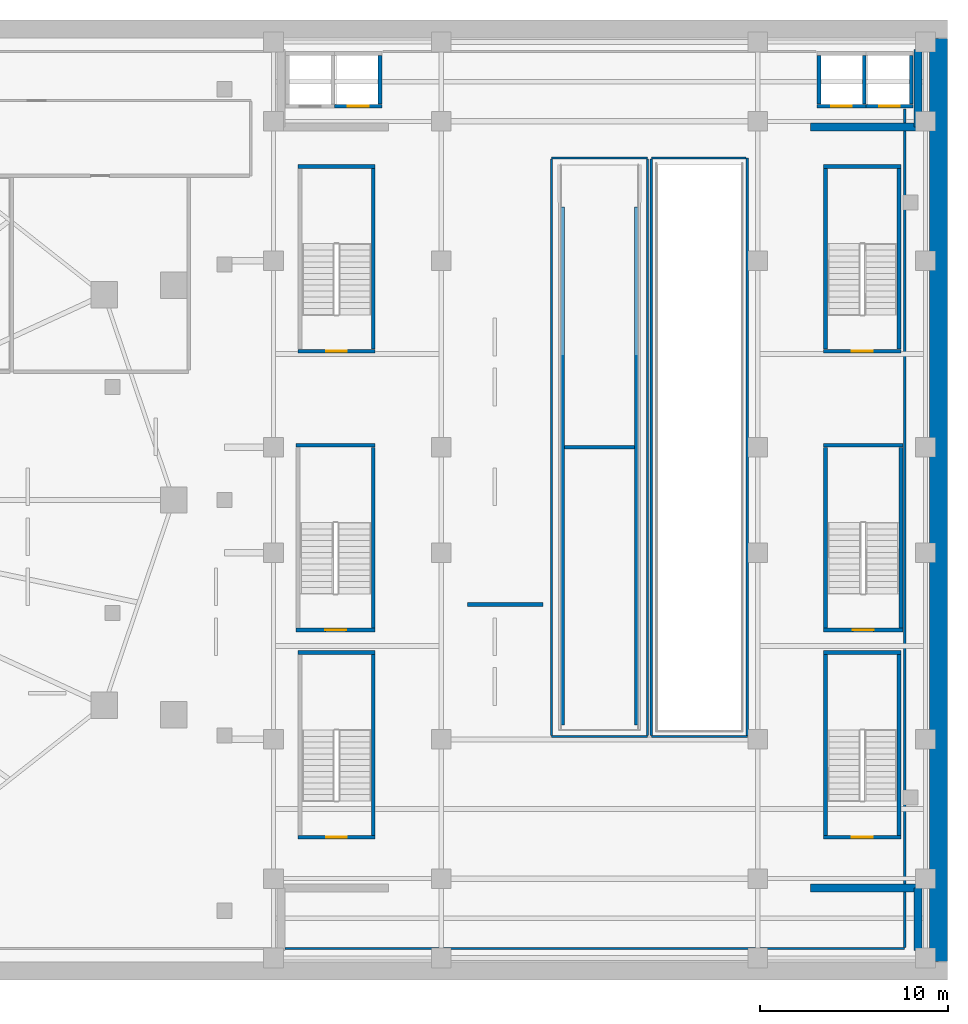
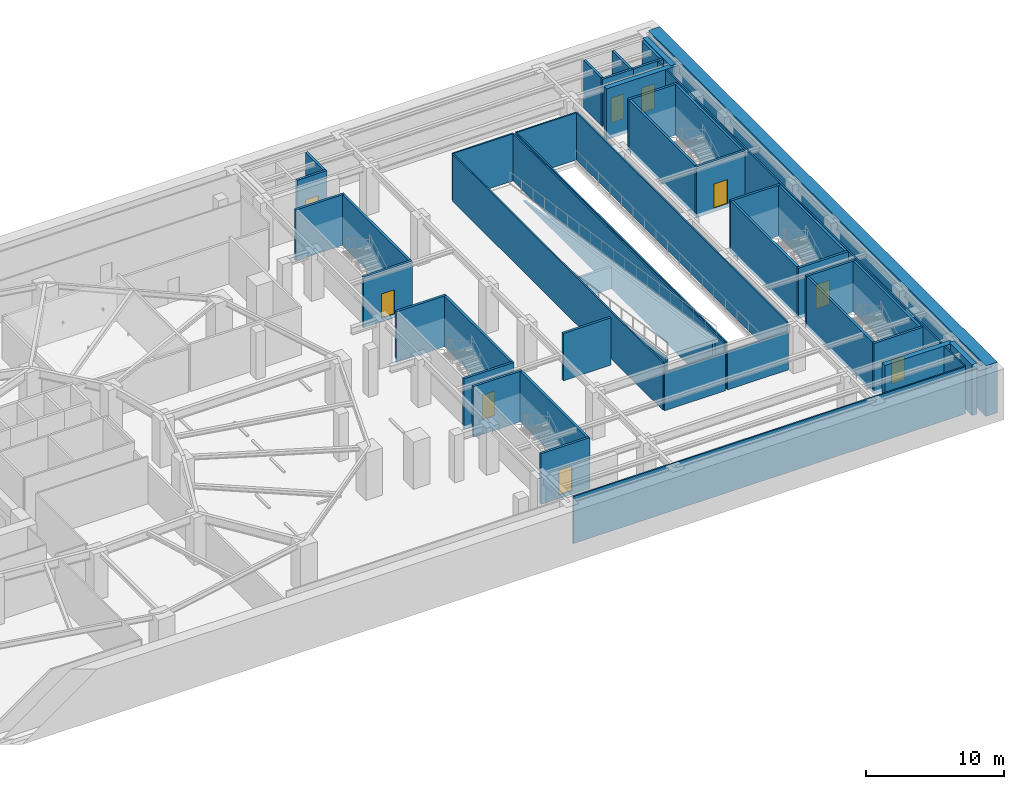
# One storey, part 9 of 16: 49 walls, 9 doors, 9 openings.
"""IFC4 building model written with IfcOpenShell, lengths in metres."""

from ifc_helpers import new_model, si_unit, direction, frame, frame_2d, origin, place, context, subcontext, project, spatial, polyline, rectangle, outline, extrude, material, layer, layer_set, type_object, element, fill, save


model = new_model("IFC4")

# Units and contexts
model_context = context("Model", 3, precision=1e-05, world=origin(), true_north=direction((0.0, 1.0)))
body_context = subcontext(model_context, "Body", "Model", "MODEL_VIEW")
ifc_project = project(units=[si_unit("LENGTHUNIT", "METRE"), si_unit("AREAUNIT", "SQUARE_METRE"), si_unit("VOLUMEUNIT", "CUBIC_METRE"), si_unit("PLANEANGLEUNIT", "RADIAN"), si_unit("MASSUNIT", "GRAM", prefix="KILO")], contexts=[model_context])

# Site, building, storey
site_placement = place(None, origin())
site = spatial("IfcSite", under=ifc_project, at=site_placement, CompositionType="ELEMENT")
building_placement = place(site_placement, origin())
building = spatial("IfcBuilding", under=site, at=building_placement, Name="Kolvaren Gate Tower and Convention Centre", CompositionType="ELEMENT")
storey_placement = place(building_placement, frame((0.0, 0.0, -9.0)))
storey = spatial("IfcBuildingStorey", under=building, at=storey_placement, Name="B2", CompositionType="ELEMENT", Elevation=-9.0)

# Walls
ifc_material_1 = material(Name="Fire-Rated Acoustic Gypsum Stud Partition", Category="gypsum")
ifc_layer_1 = layer(ifc_material_1, 0.1201171875)
ifc_layer_set_1 = layer_set([ifc_layer_1], Name="Fire-Rated Acoustic Gypsum Stud Partition")
wall_type_1 = type_object("IfcWallType", Name="ARCH-WL-PART-120", PredefinedType="PARTITIONING", material=ifc_layer_set_1)
wall_1_placement = place(storey_placement, frame((63.31201171875, 3.199951171875, 0.0), z_axis=(0.0, 0.0, 1.0), x_axis=(1.0, 0.0, 0.0)))
element("IfcWall", 1, at=wall_1_placement, inside=storey, type_object=wall_type_1, Name="Interior Partition WL-B2-INT-033 (2)", PredefinedType="PARTITIONING", context=body_context, shape_type="SweptSolid", body=[
    extrude(rectangle(XDim=32.887939453125, YDim=0.1201171875, at=frame_2d((16.44384765625, 0.0))), origin(), (0.0, 0.0, 1.0), 4.179931640625),
])
wall_2_placement = place(storey_placement, frame((96.199951171875, 3.261962890625, 0.0), z_axis=(0.0, 0.0, 1.0), x_axis=(0.0, 1.0, 0.0)))
element("IfcWall", 2, at=wall_2_placement, inside=storey, type_object=wall_type_1, Name="Interior Partition WL-B2-INT-037", PredefinedType="PARTITIONING", context=body_context, shape_type="SweptSolid", body=[
    extrude(rectangle(XDim=2.926025390625, YDim=0.1201171875, at=frame_2d((1.462890625, 0.0))), origin(), (0.0, 0.0, 1.0), 4.179931640625),
])
wall_3_placement = place(storey_placement, frame((96.199951171875, 6.612060546875, 0.0), z_axis=(0.0, 0.0, 1.0), x_axis=(0.0, 1.0, 0.0)))
element("IfcWall", 3, at=wall_3_placement, inside=storey, type_object=wall_type_1, Name="Interior Partition WL-B2-INT-037 (2)", PredefinedType="PARTITIONING", context=body_context, shape_type="SweptSolid", body=[
    extrude(rectangle(XDim=39.975830078125, YDim=0.1201171875, at=frame_2d((19.98779296875, 0.0))), origin(), (0.0, 0.0, 1.0), 4.179931640625),
])
wall_4_placement = place(storey_placement, frame((96.199951171875, 47.011962890625, 0.0), z_axis=(0.0, 0.0, 1.0), x_axis=(0.0, 1.0, 0.0)))
element("IfcWall", 4, at=wall_4_placement, inside=storey, type_object=wall_type_1, Name="Interior Partition WL-B2-INT-037 (3)", PredefinedType="PARTITIONING", context=body_context, shape_type="SweptSolid", body=[
    extrude(rectangle(XDim=0.738037109375, YDim=0.1201171875, at=frame_2d((0.369140625, 0.0))), origin(), (0.0, 0.0, 1.0), 4.179931640625),
])
for number, where, z_axis, x_axis, name in (
    (5, (77.449951171875, 14.449951171875, 0.0), (0.0, 0.0, 1.0), (1.0, 0.0, 0.0), "Interior Partition WL-B2-INT-038"),
    (6, (82.75, 14.449951171875, 0.0), (0.0, 0.0, 1.0), (1.0, 0.0, 0.0), "Interior Partition WL-B2-INT-039"),
):
    element("IfcWall", number, at=place(storey_placement, frame(where, z_axis=z_axis, x_axis=x_axis)), inside=storey, type_object=wall_type_1, Name=name, PredefinedType="PARTITIONING", context=body_context, shape_type="SweptSolid", body=[
        extrude(rectangle(XDim=5.10009765625, YDim=0.1201171875, at=frame_2d((2.550048828125, 0.0))), origin(), (0.0, 0.0, 1.0), 3.4140625),
    ])
wall_5_placement = place(storey_placement, frame((87.85009765625, 14.511962890625, 0.0), z_axis=(0.0, 0.0, 1.0), x_axis=(0.0, 1.0, 0.0)))
element("IfcWall", 7, at=wall_5_placement, inside=storey, type_object=wall_type_1, Name="Interior Partition WL-B2-INT-040", PredefinedType="PARTITIONING", context=body_context, shape_type="SweptSolid", body=[
    extrude(rectangle(XDim=30.637939453125, YDim=0.1201171875, at=frame_2d((15.31884765625, 0.0))), origin(), (0.0, 0.0, 1.0), 4.179931640625),
])
wall_6_placement = place(storey_placement, frame((77.449951171875, 45.14990234375, 0.0), z_axis=(0.0, 0.0, 1.0), x_axis=(1.0, 0.0, 0.0)))
element("IfcWall", 8, at=wall_6_placement, inside=storey, type_object=wall_type_1, Name="Interior Partition WL-B2-INT-041", PredefinedType="PARTITIONING", context=body_context, shape_type="SweptSolid", body=[
    extrude(rectangle(XDim=5.10009765625, YDim=0.1201171875, at=frame_2d((2.550048828125, 0.0))), origin(), (0.0, 0.0, 1.0), 4.179931640625),
])
wall_7_placement = place(storey_placement, frame((82.75, 45.14990234375, 0.0), z_axis=(0.0, 0.0, 1.0), x_axis=(1.0, 0.0, 0.0)))
element("IfcWall", 9, at=wall_7_placement, inside=storey, type_object=wall_type_1, Name="Interior Partition WL-B2-INT-042", PredefinedType="PARTITIONING", context=body_context, shape_type="SweptSolid", body=[
    extrude(rectangle(XDim=5.0380859375, YDim=0.1201171875, at=frame_2d((2.51904296875, 0.0))), origin(), (0.0, 0.0, 1.0), 4.179931640625),
])
for number, where, z_axis, x_axis, name in (
    (10, (82.75, 14.511962890625, 0.0), (0.0, 0.0, 1.0), (0.0, 1.0, 0.0), "Interior Partition WL-B2-INT-043"),
    (11, (77.449951171875, 14.511962890625, 0.0), (0.0, 0.0, 1.0), (0.0, 1.0, 0.0), "Interior Partition WL-B2-INT-044"),
    (12, (82.550048828125, 14.511962890625, 0.0), (0.0, 0.0, 1.0), (0.0, 1.0, 0.0), "Interior Partition WL-B2-INT-045"),
):
    element("IfcWall", number, at=place(storey_placement, frame(where, z_axis=z_axis, x_axis=x_axis)), inside=storey, type_object=wall_type_1, Name=name, PredefinedType="PARTITIONING", context=body_context, shape_type="SweptSolid", body=[
        extrude(rectangle(XDim=30.575927734375, YDim=0.1201171875, at=frame_2d((15.2880859375, 0.0))), origin(), (0.0, 0.0, 1.0), 4.179931640625),
    ])

# Wall, opening, door
ifc_material_2 = material(Name="Autoclaved Aerated Masonry Blockwork Class 4 (4.0 MPa)", Category="masonry")
ifc_layer_2 = layer(ifc_material_2, 0.199951171875)
ifc_layer_set_2 = layer_set([ifc_layer_2], Name="Autoclaved Aerated Masonry Blockwork Class 4 (4.0 MPa)")
wall_type_2 = type_object("IfcWallType", Name="ARCH-WL-SHAFT-200", PredefinedType="SOLIDWALL", material=ifc_layer_set_2)
wall_8_placement = place(storey_placement, frame((65.949951171875, 47.89990234375, 0.0), z_axis=(0.0, 0.0, 1.0), x_axis=(1.0, 0.0, 0.0)))
wall_8 = element("IfcWall", 13, at=wall_8_placement, inside=storey, type_object=wall_type_2, Name="Elevator CL-02 B2 Fire Shaft Wall S", PredefinedType="SOLIDWALL", context=body_context, shape_type="SweptSolid", body=[
    extrude(rectangle(XDim=2.5, YDim=0.199951171875, at=frame_2d((1.25, 0.0))), origin(), (0.0, 0.0, 1.0), 4.179931640625),
])
opening_1_placement = place(wall_8_placement, frame((0.699951171875, 0.0, 0.0)))
opening_1 = element("IfcOpeningElement", 14, at=opening_1_placement, cuts=wall_8, Name="Opening LD", PredefinedType="OPENING", context=body_context, shape_type="SweptSolid", body=[
    extrude(rectangle(XDim=1.10009765625, YDim=2.199951171875, at=frame_2d((0.550048828125, 1.10009765625))), frame((0.0, 0.10986328125, 0.0), z_axis=(0.0, -1.0, 0.0), x_axis=(1.0, 0.0, 0.0)), (0.0, 0.0, 1.0), 0.219970703125),
])
ifc_material_3 = material(Name="Brushed Stainless Steel Grade 316L", Category="steel")
door_type_1 = type_object("IfcDoorType", Name="ARCH-DR-LIFT-1100", OperationType="SLIDING_TO_LEFT", PredefinedType="DOOR", material=ifc_material_3)
door_1_placement = place(opening_1_placement, origin())
door_1 = element("IfcDoor", 15, at=door_1_placement, inside=storey, type_object=door_type_1, Name="Elevator CL-02 B2 Sliding Landing Door", OperationType="SLIDING_TO_LEFT", OverallHeight=2.199951171875, OverallWidth=1.10009765625, PredefinedType="DOOR", context=body_context, shape_type="SweptSolid", body=[
    extrude(rectangle(XDim=1.10009765625, YDim=2.199951171875, at=frame_2d((0.550048828125, 1.10009765625))), frame((0.0, 0.02490234375, 0.0), z_axis=(0.0, -1.0, 0.0), x_axis=(1.0, 0.0, 0.0)), (0.0, 0.0, 1.0), 0.050048828125),
])
fill(opening_1, door_1)

# Wall
wall_9_placement = place(storey_placement, frame((68.35009765625, 48.010009765625, 0.0), z_axis=(0.0, 0.0, 1.0), x_axis=(0.0, 1.0, 0.0)))
element("IfcWall", 16, at=wall_9_placement, inside=storey, type_object=wall_type_2, Name="Elevator CL-02 B2 Fire Shaft Wall E", PredefinedType="SOLIDWALL", context=body_context, shape_type="SweptSolid", body=[
    extrude(rectangle(XDim=2.580078125, YDim=0.199951171875, at=frame_2d((1.2900390625, 0.0))), origin(), (0.0, 0.0, 1.0), 4.179931640625),
])

# Wall, opening, door
wall_10_placement = place(storey_placement, frame((91.550048828125, 47.89990234375, 0.0), z_axis=(0.0, 0.0, 1.0), x_axis=(1.0, 0.0, 0.0)))
wall_10 = element("IfcWall", 17, at=wall_10_placement, inside=storey, type_object=wall_type_2, Name="Elevator CL-03 B2 Fire Shaft Wall S", PredefinedType="SOLIDWALL", context=body_context, shape_type="SweptSolid", body=[
    extrude(rectangle(XDim=2.599853515625, YDim=0.199951171875, at=frame_2d((1.2998046875, 0.0))), origin(), (0.0, 0.0, 1.0), 4.179931640625),
])
opening_2_placement = place(wall_10_placement, frame((0.75, 0.0, 0.0)))
opening_2 = element("IfcOpeningElement", 18, at=opening_2_placement, cuts=wall_10, Name="Opening LD", PredefinedType="OPENING", context=body_context, shape_type="SweptSolid", body=[
    extrude(rectangle(XDim=1.10009765625, YDim=2.199951171875, at=frame_2d((0.550048828125, 1.10009765625))), frame((0.0, 0.10986328125, 0.0), z_axis=(0.0, -1.0, 0.0), x_axis=(1.0, 0.0, 0.0)), (0.0, 0.0, 1.0), 0.219970703125),
])
door_2_placement = place(opening_2_placement, origin())
door_2 = element("IfcDoor", 19, at=door_2_placement, inside=storey, type_object=door_type_1, Name="Elevator CL-03 B2 Sliding Landing Door", OperationType="SLIDING_TO_LEFT", OverallHeight=2.199951171875, OverallWidth=1.10009765625, PredefinedType="DOOR", context=body_context, shape_type="SweptSolid", body=[
    extrude(rectangle(XDim=1.10009765625, YDim=2.199951171875, at=frame_2d((0.550048828125, 1.10009765625))), frame((0.0, 0.02490234375, 0.0), z_axis=(0.0, -1.0, 0.0), x_axis=(1.0, 0.0, 0.0)), (0.0, 0.0, 1.0), 0.050048828125),
])
fill(opening_2, door_2)

# Walls
for number, where, z_axis, x_axis, name in (
    (20, (91.64990234375, 48.010009765625, 0.0), (0.0, 0.0, 1.0), (0.0, 1.0, 0.0), "Elevator CL-03 B2 Fire Shaft Wall W"),
    (21, (94.050048828125, 48.010009765625, 0.0), (0.0, 0.0, 1.0), (0.0, 1.0, 0.0), "Elevator CL-03 B2 Fire Shaft Wall E"),
):
    element("IfcWall", number, at=place(storey_placement, frame(where, z_axis=z_axis, x_axis=x_axis)), inside=storey, type_object=wall_type_2, Name=name, PredefinedType="SOLIDWALL", context=body_context, shape_type="SweptSolid", body=[
        extrude(rectangle(XDim=2.580078125, YDim=0.199951171875, at=frame_2d((1.2900390625, 0.0))), origin(), (0.0, 0.0, 1.0), 4.179931640625),
    ])

# Wall, opening, door
wall_11_placement = place(storey_placement, frame((94.14990234375, 47.89990234375, 0.0), z_axis=(0.0, 0.0, 1.0), x_axis=(1.0, 0.0, 0.0)))
wall_11 = element("IfcWall", 22, at=wall_11_placement, inside=storey, type_object=wall_type_2, Name="Elevator CL-04 B2 Fire Shaft Wall S", PredefinedType="SOLIDWALL", context=body_context, shape_type="SweptSolid", body=[
    extrude(rectangle(XDim=2.5, YDim=0.199951171875, at=frame_2d((1.25, 0.0))), origin(), (0.0, 0.0, 1.0), 4.179931640625),
])
opening_3_placement = place(wall_11_placement, frame((0.699951171875, 0.0, 0.0)))
opening_3 = element("IfcOpeningElement", 23, at=opening_3_placement, cuts=wall_11, Name="Opening LD", PredefinedType="OPENING", context=body_context, shape_type="SweptSolid", body=[
    extrude(rectangle(XDim=1.10009765625, YDim=2.199951171875, at=frame_2d((0.550048828125, 1.10009765625))), frame((0.0, 0.10986328125, 0.0), z_axis=(0.0, -1.0, 0.0), x_axis=(1.0, 0.0, 0.0)), (0.0, 0.0, 1.0), 0.219970703125),
])
door_3_placement = place(opening_3_placement, origin())
door_3 = element("IfcDoor", 24, at=door_3_placement, inside=storey, type_object=door_type_1, Name="Elevator CL-04 B2 Sliding Landing Door", OperationType="SLIDING_TO_LEFT", OverallHeight=2.199951171875, OverallWidth=1.10009765625, PredefinedType="DOOR", context=body_context, shape_type="SweptSolid", body=[
    extrude(rectangle(XDim=1.10009765625, YDim=2.199951171875, at=frame_2d((0.550048828125, 1.10009765625))), frame((0.0, 0.02490234375, 0.0), z_axis=(0.0, -1.0, 0.0), x_axis=(1.0, 0.0, 0.0)), (0.0, 0.0, 1.0), 0.050048828125),
])
fill(opening_3, door_3)

# Walls
wall_12_placement = place(storey_placement, frame((96.550048828125, 48.010009765625, 0.0), z_axis=(0.0, 0.0, 1.0), x_axis=(0.0, 1.0, 0.0)))
element("IfcWall", 25, at=wall_12_placement, inside=storey, type_object=wall_type_2, Name="Elevator CL-04 B2 Fire Shaft Wall E", PredefinedType="SOLIDWALL", context=body_context, shape_type="SweptSolid", body=[
    extrude(rectangle(XDim=2.580078125, YDim=0.199951171875, at=frame_2d((1.2900390625, 0.0))), origin(), (0.0, 0.0, 1.0), 4.179931640625),
])
ifc_material_4 = material(Name="Concrete C50/60", Category="concrete")
ifc_layer_3 = layer(ifc_material_4, 0.419921875)
ifc_layer_set_3 = layer_set([ifc_layer_3], Name="Concrete C50/60")
wall_type_3 = type_object("IfcWallType", Name="STR-WL-CONV-420", PredefinedType="SHEAR", material=ifc_layer_set_3)
wall_13_placement = place(storey_placement, frame((96.89990234375, 46.800048828125, -0.320068359375), z_axis=(0.0, 0.0, 1.0), x_axis=(0.0, 1.0, 0.0)))
element("IfcWall", 26, at=wall_13_placement, inside=storey, type_object=wall_type_3, Name="Convention B2 Shear Core Wall CCNE-E", PredefinedType="SHEAR", context=body_context, shape_type="SweptSolid", body=[
    extrude(rectangle(XDim=4.099853515625, YDim=0.419921875, at=frame_2d((2.0498046875, 0.0))), origin(), (0.0, 0.0, 1.0), 4.5),
])
wall_14_placement = place(storey_placement, frame((91.199951171875, 46.800048828125, -0.320068359375), z_axis=(0.0, 0.0, 1.0), x_axis=(1.0, 0.0, 0.0)))
element("IfcWall", 27, at=wall_14_placement, inside=storey, type_object=wall_type_3, Name="Convention B2 Shear Core Wall CCNE-S", PredefinedType="SHEAR", context=body_context, shape_type="SweptSolid", body=[
    extrude(rectangle(XDim=5.699951171875, YDim=0.419921875, at=frame_2d((2.85009765625, 0.0))), origin(), (0.0, 0.0, 1.0), 4.5),
])
wall_15_placement = place(storey_placement, frame((96.89990234375, 3.10009765625, -0.320068359375), z_axis=(0.0, 0.0, 1.0), x_axis=(0.0, 1.0, 0.0)))
element("IfcWall", 28, at=wall_15_placement, inside=storey, type_object=wall_type_3, Name="Convention B2 Shear Core Wall CCSE-E", PredefinedType="SHEAR", context=body_context, shape_type="SweptSolid", body=[
    extrude(rectangle(XDim=3.2998046875, YDim=0.419921875, at=frame_2d((1.64990234375, 0.0))), origin(), (0.0, 0.0, 1.0), 4.5),
])
wall_16_placement = place(storey_placement, frame((91.199951171875, 6.39990234375, -0.320068359375), z_axis=(0.0, 0.0, 1.0), x_axis=(1.0, 0.0, 0.0)))
element("IfcWall", 29, at=wall_16_placement, inside=storey, type_object=wall_type_3, Name="Convention B2 Shear Core Wall CCSE-N", PredefinedType="SHEAR", context=body_context, shape_type="SweptSolid", body=[
    extrude(rectangle(XDim=5.699951171875, YDim=0.419921875, at=frame_2d((2.85009765625, 0.0))), origin(), (0.0, 0.0, 1.0), 4.5),
])
ifc_layer_4 = layer(ifc_material_4, 0.949951171875)
ifc_layer_set_4 = layer_set([ifc_layer_4], Name="Concrete C50/60")
wall_type_4 = type_object("IfcWallType", Name="STR-WL-DIAPH-950", PredefinedType="USERDEFINED", material=ifc_layer_set_4)
wall_17_placement = place(storey_placement, frame((98.0, 2.4951171875, -0.320068359375), z_axis=(0.0, 0.0, 1.0), x_axis=(0.0, 1.0, 0.0)))
element("IfcWall", 30, at=wall_17_placement, inside=storey, type_object=wall_type_4, Name="Basement B2 E Perimeter Diaphragm Wall", ObjectType="RETAINING WALL", PredefinedType="USERDEFINED", context=body_context, shape_type="SweptSolid", body=[
    extrude(rectangle(XDim=49.009765625, YDim=0.949951171875, at=frame_2d((24.5048828125, 0.0))), origin(), (0.0, 0.0, 1.0), 4.5),
])
ifc_layer_5 = layer(ifc_material_4, 0.199951171875)
ifc_layer_set_5 = layer_set([ifc_layer_5], Name="Concrete C50/60")
wall_type_5 = type_object("IfcWallType", Name="STR-WL-SHAFT-200", PredefinedType="SHEAR", material=ifc_layer_set_5)
wall_18_placement = place(storey_placement, frame((73.0, 21.449951171875, 0.0), z_axis=(0.0, 0.0, 1.0), x_axis=(1.0, 0.0, 0.0)))
element("IfcWall", 31, at=wall_18_placement, inside=storey, type_object=wall_type_5, Name="Vehicle Ramp VR-01 B2 Bearing Support Wall", PredefinedType="SHEAR", context=body_context, shape_type="SweptSolid", body=[
    extrude(rectangle(XDim=4.0, YDim=0.199951171875, at=frame_2d((2.0, 0.0))), origin(), (0.0, 0.0, 1.0), 4.195068359375),
])
for number, where, z_axis, x_axis, name in (
    (32, (78.0400390625, 15.050048828125, 0.0), (0.0, 0.0, 1.0), (0.0, 1.0, 0.0), "Vehicle Ramp VR-02 Sloped RC Cheek Support Wall W"),
    (33, (81.9599609375, 15.050048828125, 0.0), (0.0, 0.0, 1.0), (0.0, 1.0, 0.0), "Vehicle Ramp VR-02 Sloped RC Cheek Support Wall E"),
):
    element("IfcWall", number, at=place(storey_placement, frame(where, z_axis=z_axis, x_axis=x_axis)), inside=storey, type_object=wall_type_5, Name=name, PredefinedType="SHEAR", context=body_context, shape_type="SweptSolid", body=[
        extrude(outline(polyline([(0.0, 0.0), (27.5, 0.0), (27.5, 0.025390625), (0.0, 4.150390625), (0.0, 0.0)])), frame((0.0, 0.10009765625, 0.0), z_axis=(0.0, -1.0, 0.0), x_axis=(1.0, 0.0, 0.0)), (0.0, 0.0, 1.0), 0.199951171875),
    ])
wall_19_placement = place(storey_placement, frame((78.14990234375, 29.800048828125, 0.0), z_axis=(0.0, 0.0, 1.0), x_axis=(1.0, 0.0, 0.0)))
element("IfcWall", 34, at=wall_19_placement, inside=storey, type_object=wall_type_5, Name="Vehicle Ramp VR-02 Mid-Span RC Pier Wall", PredefinedType="SHEAR", context=body_context, shape_type="SweptSolid", body=[
    extrude(rectangle(XDim=3.7001953125, YDim=0.199951171875, at=frame_2d((1.85009765625, 0.0))), origin(), (0.0, 0.0, 1.0), 1.93505859375),
])

# Wall, opening, door
wall_20_placement = place(storey_placement, frame((64.0, 34.89990234375, -0.320068359375), z_axis=(0.0, 0.0, 1.0), x_axis=(1.0, 0.0, 0.0)))
wall_20 = element("IfcWall", 35, at=wall_20_placement, inside=storey, type_object=wall_type_5, Name="Convention NW Exit Stair ST-C1 B2 Structural Shear Enclosure Wall NEAR", PredefinedType="SHEAR", context=body_context, shape_type="SweptSolid", body=[
    extrude(rectangle(XDim=4.10009765625, YDim=0.199951171875, at=frame_2d((2.050048828125, 0.0))), origin(), (0.0, 0.0, 1.0), 4.5),
])
opening_4_placement = place(wall_20_placement, frame((1.5, 0.0, 0.320068359375)))
opening_4 = element("IfcOpeningElement", 36, at=opening_4_placement, cuts=wall_20, Name="Opening DS-01", PredefinedType="OPENING", context=body_context, shape_type="SweptSolid", body=[
    extrude(rectangle(XDim=1.10009765625, YDim=2.14990234375, at=frame_2d((0.550048828125, 1.074951171875))), frame((0.0, 0.10986328125, 0.0), z_axis=(0.0, -1.0, 0.0), x_axis=(1.0, 0.0, 0.0)), (0.0, 0.0, 1.0), 0.219970703125),
])
ifc_material_5 = material(Name="Painted Architectural Steelwork ASTM A500 Grade C 345 MPa", Category="steel")
door_type_2 = type_object("IfcDoorType", Name="ARCH-DR-STAIR-1100", OperationType="SINGLE_SWING_LEFT", PredefinedType="DOOR", material=ifc_material_5)
door_4_placement = place(opening_4_placement, origin())
door_4 = element("IfcDoor", 37, at=door_4_placement, inside=storey, type_object=door_type_2, Name="Convention NW Exit Stair ST-C1 B2 Fire Exit Stair Door", OperationType="SINGLE_SWING_RIGHT", OverallHeight=2.14990234375, OverallWidth=1.10009765625, PredefinedType="DOOR", context=body_context, shape_type="SweptSolid", body=[
    extrude(rectangle(XDim=1.10009765625, YDim=2.14990234375, at=frame_2d((0.550048828125, 1.074951171875))), frame((0.0, 0.02490234375, 0.0), z_axis=(0.0, -1.0, 0.0), x_axis=(1.0, 0.0, 0.0)), (0.0, 0.0, 1.0), 0.050048828125),
])
fill(opening_4, door_4)

# Walls
wall_21_placement = place(storey_placement, frame((64.0, 44.699951171875, -0.320068359375), z_axis=(0.0, 0.0, 1.0), x_axis=(1.0, 0.0, 0.0)))
element("IfcWall", 38, at=wall_21_placement, inside=storey, type_object=wall_type_5, Name="Convention NW Exit Stair ST-C1 B2 Structural Shear Enclosure Wall FAR", PredefinedType="SHEAR", context=body_context, shape_type="SweptSolid", body=[
    extrude(rectangle(XDim=4.10009765625, YDim=0.199951171875, at=frame_2d((2.050048828125, 0.0))), origin(), (0.0, 0.0, 1.0), 4.5),
])
wall_22_placement = place(storey_placement, frame((68.0, 35.001953125, -0.320068359375), z_axis=(0.0, 0.0, 1.0), x_axis=(0.0, 1.0, 0.0)))
element("IfcWall", 39, at=wall_22_placement, inside=storey, type_object=wall_type_5, Name="Convention NW Exit Stair ST-C1 B2 Structural Shear Enclosure Wall EAST", PredefinedType="SHEAR", context=body_context, shape_type="SweptSolid", body=[
    extrude(rectangle(XDim=9.595947265625, YDim=0.199951171875, at=frame_2d((4.7978515625, 0.0))), origin(), (0.0, 0.0, 1.0), 4.5),
])

# Wall, opening, door
wall_23_placement = place(storey_placement, frame((64.0, 9.10009765625, -0.320068359375), z_axis=(0.0, 0.0, 1.0), x_axis=(1.0, 0.0, 0.0)))
wall_23 = element("IfcWall", 40, at=wall_23_placement, inside=storey, type_object=wall_type_5, Name="Convention SW Exit Stair ST-C2 B2 Structural Shear Enclosure Wall NEAR", PredefinedType="SHEAR", context=body_context, shape_type="SweptSolid", body=[
    extrude(rectangle(XDim=4.10009765625, YDim=0.199951171875, at=frame_2d((2.050048828125, 0.0))), origin(), (0.0, 0.0, 1.0), 4.5),
])
opening_5_placement = place(wall_23_placement, frame((1.5, 0.0, 0.320068359375)))
opening_5 = element("IfcOpeningElement", 41, at=opening_5_placement, cuts=wall_23, Name="Opening DS-01", PredefinedType="OPENING", context=body_context, shape_type="SweptSolid", body=[
    extrude(rectangle(XDim=1.10009765625, YDim=2.14990234375, at=frame_2d((0.550048828125, 1.074951171875))), frame((0.0, 0.10986328125, 0.0), z_axis=(0.0, -1.0, 0.0), x_axis=(1.0, 0.0, 0.0)), (0.0, 0.0, 1.0), 0.219970703125),
])
door_5_placement = place(opening_5_placement, origin())
door_5 = element("IfcDoor", 42, at=door_5_placement, inside=storey, type_object=door_type_2, Name="Convention SW Exit Stair ST-C2 B2 Fire Exit Stair Door", OperationType="SINGLE_SWING_RIGHT", OverallHeight=2.14990234375, OverallWidth=1.10009765625, PredefinedType="DOOR", context=body_context, shape_type="SweptSolid", body=[
    extrude(rectangle(XDim=1.10009765625, YDim=2.14990234375, at=frame_2d((0.550048828125, 1.074951171875))), frame((0.0, 0.02490234375, 0.0), z_axis=(0.0, -1.0, 0.0), x_axis=(1.0, 0.0, 0.0)), (0.0, 0.0, 1.0), 0.050048828125),
])
fill(opening_5, door_5)

# Walls
wall_24_placement = place(storey_placement, frame((64.0, 18.89990234375, -0.320068359375), z_axis=(0.0, 0.0, 1.0), x_axis=(1.0, 0.0, 0.0)))
element("IfcWall", 43, at=wall_24_placement, inside=storey, type_object=wall_type_5, Name="Convention SW Exit Stair ST-C2 B2 Structural Shear Enclosure Wall FAR", PredefinedType="SHEAR", context=body_context, shape_type="SweptSolid", body=[
    extrude(rectangle(XDim=4.10009765625, YDim=0.199951171875, at=frame_2d((2.050048828125, 0.0))), origin(), (0.0, 0.0, 1.0), 4.5),
])
wall_25_placement = place(storey_placement, frame((68.0, 9.201904296875, -0.320068359375), z_axis=(0.0, 0.0, 1.0), x_axis=(0.0, 1.0, 0.0)))
element("IfcWall", 44, at=wall_25_placement, inside=storey, type_object=wall_type_5, Name="Convention SW Exit Stair ST-C2 B2 Structural Shear Enclosure Wall EAST", PredefinedType="SHEAR", context=body_context, shape_type="SweptSolid", body=[
    extrude(rectangle(XDim=9.59619140625, YDim=0.199951171875, at=frame_2d((4.798095703125, 0.0))), origin(), (0.0, 0.0, 1.0), 4.5),
])

# Wall, opening, door
wall_26_placement = place(storey_placement, frame((91.89990234375, 34.89990234375, -0.320068359375), z_axis=(0.0, 0.0, 1.0), x_axis=(1.0, 0.0, 0.0)))
wall_26 = element("IfcWall", 45, at=wall_26_placement, inside=storey, type_object=wall_type_5, Name="Convention NE Exit Stair ST-C3 B2 Structural Shear Enclosure Wall NEAR", PredefinedType="SHEAR", context=body_context, shape_type="SweptSolid", body=[
    extrude(rectangle(XDim=4.10009765625, YDim=0.199951171875, at=frame_2d((2.050048828125, 0.0))), origin(), (0.0, 0.0, 1.0), 4.5),
])
opening_6_placement = place(wall_26_placement, frame((1.5, 0.0, 0.320068359375)))
opening_6 = element("IfcOpeningElement", 46, at=opening_6_placement, cuts=wall_26, Name="Opening DS-01", PredefinedType="OPENING", context=body_context, shape_type="SweptSolid", body=[
    extrude(rectangle(XDim=1.10009765625, YDim=2.14990234375, at=frame_2d((0.550048828125, 1.074951171875))), frame((0.0, 0.10986328125, 0.0), z_axis=(0.0, -1.0, 0.0), x_axis=(1.0, 0.0, 0.0)), (0.0, 0.0, 1.0), 0.219970703125),
])
door_6_placement = place(opening_6_placement, origin())
door_6 = element("IfcDoor", 47, at=door_6_placement, inside=storey, type_object=door_type_2, Name="Convention NE Exit Stair ST-C3 B2 Fire Exit Stair Door", OperationType="SINGLE_SWING_RIGHT", OverallHeight=2.14990234375, OverallWidth=1.10009765625, PredefinedType="DOOR", context=body_context, shape_type="SweptSolid", body=[
    extrude(rectangle(XDim=1.10009765625, YDim=2.14990234375, at=frame_2d((0.550048828125, 1.074951171875))), frame((0.0, 0.02490234375, 0.0), z_axis=(0.0, -1.0, 0.0), x_axis=(1.0, 0.0, 0.0)), (0.0, 0.0, 1.0), 0.050048828125),
])
fill(opening_6, door_6)

# Walls
wall_27_placement = place(storey_placement, frame((91.89990234375, 44.699951171875, -0.320068359375), z_axis=(0.0, 0.0, 1.0), x_axis=(1.0, 0.0, 0.0)))
element("IfcWall", 48, at=wall_27_placement, inside=storey, type_object=wall_type_5, Name="Convention NE Exit Stair ST-C3 B2 Structural Shear Enclosure Wall FAR", PredefinedType="SHEAR", context=body_context, shape_type="SweptSolid", body=[
    extrude(rectangle(XDim=4.10009765625, YDim=0.199951171875, at=frame_2d((2.050048828125, 0.0))), origin(), (0.0, 0.0, 1.0), 4.5),
])
for number, where, z_axis, x_axis, name in (
    (49, (92.0, 35.001953125, -0.320068359375), (0.0, 0.0, 1.0), (0.0, 1.0, 0.0), "Convention NE Exit Stair ST-C3 B2 Structural Shear Enclosure Wall WEST"),
    (50, (95.89990234375, 35.001953125, -0.320068359375), (0.0, 0.0, 1.0), (0.0, 1.0, 0.0), "Convention NE Exit Stair ST-C3 B2 Structural Shear Enclosure Wall EAST"),
):
    element("IfcWall", number, at=place(storey_placement, frame(where, z_axis=z_axis, x_axis=x_axis)), inside=storey, type_object=wall_type_5, Name=name, PredefinedType="SHEAR", context=body_context, shape_type="SweptSolid", body=[
        extrude(rectangle(XDim=9.595947265625, YDim=0.199951171875, at=frame_2d((4.7978515625, 0.0))), origin(), (0.0, 0.0, 1.0), 4.5),
    ])

# Wall, opening, door
wall_28_placement = place(storey_placement, frame((91.89990234375, 9.10009765625, -0.320068359375), z_axis=(0.0, 0.0, 1.0), x_axis=(1.0, 0.0, 0.0)))
wall_28 = element("IfcWall", 51, at=wall_28_placement, inside=storey, type_object=wall_type_5, Name="Convention SE Exit Stair ST-C4 B2 Structural Shear Enclosure Wall NEAR", PredefinedType="SHEAR", context=body_context, shape_type="SweptSolid", body=[
    extrude(rectangle(XDim=4.10009765625, YDim=0.199951171875, at=frame_2d((2.050048828125, 0.0))), origin(), (0.0, 0.0, 1.0), 4.5),
])
opening_7_placement = place(wall_28_placement, frame((1.5, 0.0, 0.320068359375)))
opening_7 = element("IfcOpeningElement", 52, at=opening_7_placement, cuts=wall_28, Name="Opening DS-01", PredefinedType="OPENING", context=body_context, shape_type="SweptSolid", body=[
    extrude(rectangle(XDim=1.10009765625, YDim=2.14990234375, at=frame_2d((0.550048828125, 1.074951171875))), frame((0.0, 0.10986328125, 0.0), z_axis=(0.0, -1.0, 0.0), x_axis=(1.0, 0.0, 0.0)), (0.0, 0.0, 1.0), 0.219970703125),
])
door_7_placement = place(opening_7_placement, origin())
door_7 = element("IfcDoor", 53, at=door_7_placement, inside=storey, type_object=door_type_2, Name="Convention SE Exit Stair ST-C4 B2 Fire Exit Stair Door", OperationType="SINGLE_SWING_RIGHT", OverallHeight=2.14990234375, OverallWidth=1.10009765625, PredefinedType="DOOR", context=body_context, shape_type="SweptSolid", body=[
    extrude(rectangle(XDim=1.10009765625, YDim=2.14990234375, at=frame_2d((0.550048828125, 1.074951171875))), frame((0.0, 0.02490234375, 0.0), z_axis=(0.0, -1.0, 0.0), x_axis=(1.0, 0.0, 0.0)), (0.0, 0.0, 1.0), 0.050048828125),
])
fill(opening_7, door_7)

# Walls
wall_29_placement = place(storey_placement, frame((91.89990234375, 18.89990234375, -0.320068359375), z_axis=(0.0, 0.0, 1.0), x_axis=(1.0, 0.0, 0.0)))
element("IfcWall", 54, at=wall_29_placement, inside=storey, type_object=wall_type_5, Name="Convention SE Exit Stair ST-C4 B2 Structural Shear Enclosure Wall FAR", PredefinedType="SHEAR", context=body_context, shape_type="SweptSolid", body=[
    extrude(rectangle(XDim=4.10009765625, YDim=0.199951171875, at=frame_2d((2.050048828125, 0.0))), origin(), (0.0, 0.0, 1.0), 4.5),
])
for number, where, z_axis, x_axis, name in (
    (55, (92.0, 9.201904296875, -0.320068359375), (0.0, 0.0, 1.0), (0.0, 1.0, 0.0), "Convention SE Exit Stair ST-C4 B2 Structural Shear Enclosure Wall WEST"),
    (56, (95.89990234375, 9.201904296875, -0.320068359375), (0.0, 0.0, 1.0), (0.0, 1.0, 0.0), "Convention SE Exit Stair ST-C4 B2 Structural Shear Enclosure Wall EAST"),
):
    element("IfcWall", number, at=place(storey_placement, frame(where, z_axis=z_axis, x_axis=x_axis)), inside=storey, type_object=wall_type_5, Name=name, PredefinedType="SHEAR", context=body_context, shape_type="SweptSolid", body=[
        extrude(rectangle(XDim=9.59619140625, YDim=0.199951171875, at=frame_2d((4.798095703125, 0.0))), origin(), (0.0, 0.0, 1.0), 4.5),
    ])

# Wall, opening, door
wall_30_placement = place(storey_placement, frame((63.89990234375, 20.10009765625, -0.320068359375), z_axis=(0.0, 0.0, 1.0), x_axis=(1.0, 0.0, 0.0)))
wall_30 = element("IfcWall", 57, at=wall_30_placement, inside=storey, type_object=wall_type_5, Name="Convention West Assembly Stair ST-C5 B2 Structural Shear Enclosure Wall NEAR", PredefinedType="SHEAR", context=body_context, shape_type="SweptSolid", body=[
    extrude(rectangle(XDim=4.2001953125, YDim=0.199951171875, at=frame_2d((2.10009765625, 0.0))), origin(), (0.0, 0.0, 1.0), 4.5),
])
opening_8_placement = place(wall_30_placement, frame((1.550048828125, 0.0, 0.320068359375)))
opening_8 = element("IfcOpeningElement", 58, at=opening_8_placement, cuts=wall_30, Name="Opening DS-01", PredefinedType="OPENING", context=body_context, shape_type="SweptSolid", body=[
    extrude(rectangle(XDim=1.10009765625, YDim=2.14990234375, at=frame_2d((0.550048828125, 1.074951171875))), frame((0.0, 0.10986328125, 0.0), z_axis=(0.0, -1.0, 0.0), x_axis=(1.0, 0.0, 0.0)), (0.0, 0.0, 1.0), 0.219970703125),
])
door_8_placement = place(opening_8_placement, origin())
door_8 = element("IfcDoor", 59, at=door_8_placement, inside=storey, type_object=door_type_2, Name="Convention West Assembly Stair ST-C5 B2 Fire Exit Stair Door", OperationType="SINGLE_SWING_RIGHT", OverallHeight=2.14990234375, OverallWidth=1.10009765625, PredefinedType="DOOR", context=body_context, shape_type="SweptSolid", body=[
    extrude(rectangle(XDim=1.10009765625, YDim=2.14990234375, at=frame_2d((0.550048828125, 1.074951171875))), frame((0.0, 0.02490234375, 0.0), z_axis=(0.0, -1.0, 0.0), x_axis=(1.0, 0.0, 0.0)), (0.0, 0.0, 1.0), 0.050048828125),
])
fill(opening_8, door_8)

# Walls
wall_31_placement = place(storey_placement, frame((63.89990234375, 29.89990234375, -0.320068359375), z_axis=(0.0, 0.0, 1.0), x_axis=(1.0, 0.0, 0.0)))
element("IfcWall", 60, at=wall_31_placement, inside=storey, type_object=wall_type_5, Name="Convention West Assembly Stair ST-C5 B2 Structural Shear Enclosure Wall FAR", PredefinedType="SHEAR", context=body_context, shape_type="SweptSolid", body=[
    extrude(rectangle(XDim=4.2001953125, YDim=0.199951171875, at=frame_2d((2.10009765625, 0.0))), origin(), (0.0, 0.0, 1.0), 4.5),
])
wall_32_placement = place(storey_placement, frame((68.0, 20.201904296875, -0.320068359375), z_axis=(0.0, 0.0, 1.0), x_axis=(0.0, 1.0, 0.0)))
element("IfcWall", 61, at=wall_32_placement, inside=storey, type_object=wall_type_5, Name="Convention West Assembly Stair ST-C5 B2 Structural Shear Enclosure Wall EAST", PredefinedType="SHEAR", context=body_context, shape_type="SweptSolid", body=[
    extrude(rectangle(XDim=9.59619140625, YDim=0.199951171875, at=frame_2d((4.798095703125, 0.0))), origin(), (0.0, 0.0, 1.0), 4.5),
])

# Wall, opening, door
wall_33_placement = place(storey_placement, frame((91.89990234375, 20.10009765625, -0.320068359375), z_axis=(0.0, 0.0, 1.0), x_axis=(1.0, 0.0, 0.0)))
wall_33 = element("IfcWall", 62, at=wall_33_placement, inside=storey, type_object=wall_type_5, Name="Convention East Assembly Stair ST-C6 B2 Structural Shear Enclosure Wall NEAR", PredefinedType="SHEAR", context=body_context, shape_type="SweptSolid", body=[
    extrude(rectangle(XDim=4.2001953125, YDim=0.199951171875, at=frame_2d((2.10009765625, 0.0))), origin(), (0.0, 0.0, 1.0), 4.5),
])
opening_9_placement = place(wall_33_placement, frame((1.550048828125, 0.0, 0.320068359375)))
opening_9 = element("IfcOpeningElement", 63, at=opening_9_placement, cuts=wall_33, Name="Opening DS-01", PredefinedType="OPENING", context=body_context, shape_type="SweptSolid", body=[
    extrude(rectangle(XDim=1.10009765625, YDim=2.14990234375, at=frame_2d((0.550048828125, 1.074951171875))), frame((0.0, 0.10986328125, 0.0), z_axis=(0.0, -1.0, 0.0), x_axis=(1.0, 0.0, 0.0)), (0.0, 0.0, 1.0), 0.219970703125),
])
door_9_placement = place(opening_9_placement, origin())
door_9 = element("IfcDoor", 64, at=door_9_placement, inside=storey, type_object=door_type_2, Name="Convention East Assembly Stair ST-C6 B2 Fire Exit Stair Door", OperationType="SINGLE_SWING_RIGHT", OverallHeight=2.14990234375, OverallWidth=1.10009765625, PredefinedType="DOOR", context=body_context, shape_type="SweptSolid", body=[
    extrude(rectangle(XDim=1.10009765625, YDim=2.14990234375, at=frame_2d((0.550048828125, 1.074951171875))), frame((0.0, 0.02490234375, 0.0), z_axis=(0.0, -1.0, 0.0), x_axis=(1.0, 0.0, 0.0)), (0.0, 0.0, 1.0), 0.050048828125),
])
fill(opening_9, door_9)

# Walls
wall_34_placement = place(storey_placement, frame((91.89990234375, 29.89990234375, -0.320068359375), z_axis=(0.0, 0.0, 1.0), x_axis=(1.0, 0.0, 0.0)))
element("IfcWall", 65, at=wall_34_placement, inside=storey, type_object=wall_type_5, Name="Convention East Assembly Stair ST-C6 B2 Structural Shear Enclosure Wall FAR", PredefinedType="SHEAR", context=body_context, shape_type="SweptSolid", body=[
    extrude(rectangle(XDim=4.2001953125, YDim=0.199951171875, at=frame_2d((2.10009765625, 0.0))), origin(), (0.0, 0.0, 1.0), 4.5),
])
for number, where, z_axis, x_axis, name in (
    (66, (92.0, 20.201904296875, -0.320068359375), (0.0, 0.0, 1.0), (0.0, 1.0, 0.0), "Convention East Assembly Stair ST-C6 B2 Structural Shear Enclosure Wall WEST"),
    (67, (96.0, 20.201904296875, -0.320068359375), (0.0, 0.0, 1.0), (0.0, 1.0, 0.0), "Convention East Assembly Stair ST-C6 B2 Structural Shear Enclosure Wall EAST"),
):
    element("IfcWall", number, at=place(storey_placement, frame(where, z_axis=z_axis, x_axis=x_axis)), inside=storey, type_object=wall_type_5, Name=name, PredefinedType="SHEAR", context=body_context, shape_type="SweptSolid", body=[
        extrude(rectangle(XDim=9.59619140625, YDim=0.199951171875, at=frame_2d((4.798095703125, 0.0))), origin(), (0.0, 0.0, 1.0), 4.5),
    ])

save(model, "model.ifc")
